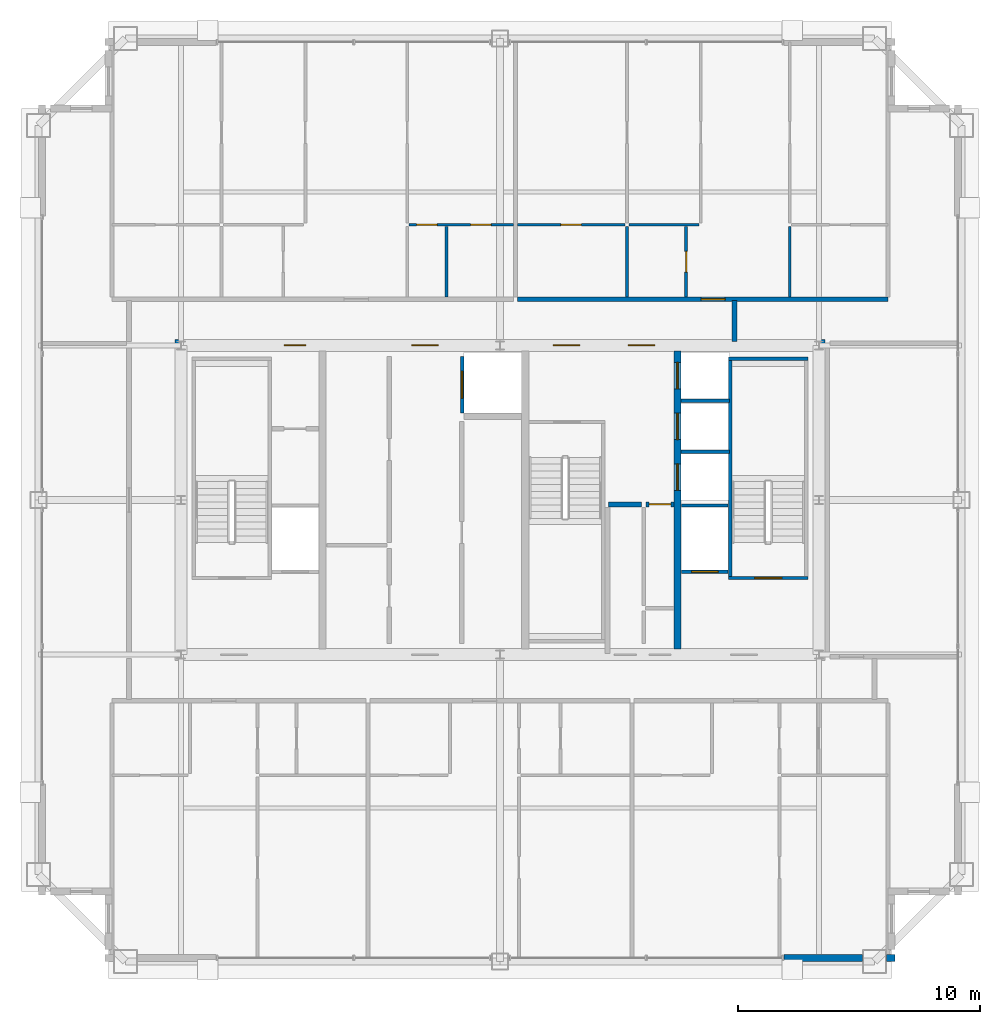
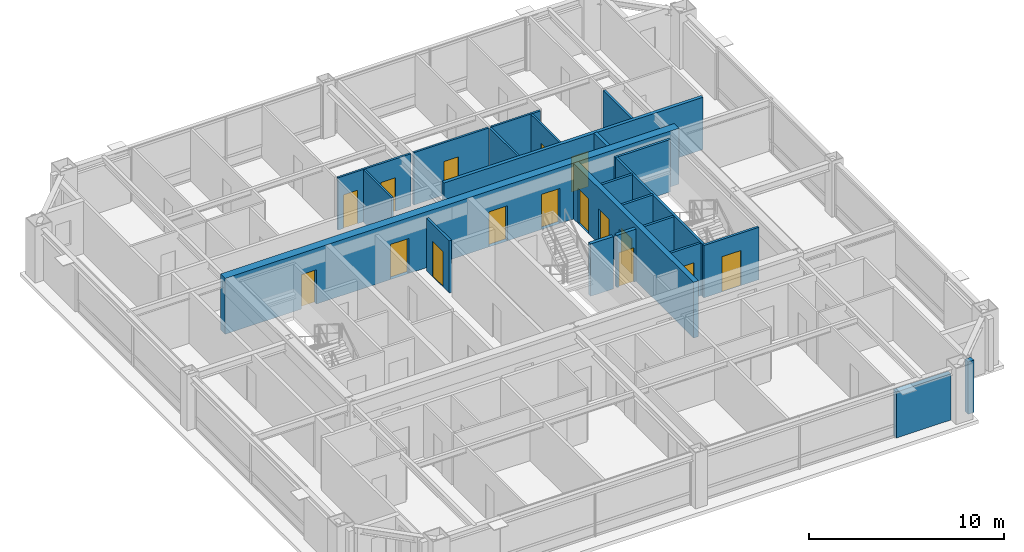
# One storey, part 32 of 35: 23 walls, 16 doors, 16 openings.
"""IFC4 building model written with IfcOpenShell, lengths in metres."""

import ifcopenshell
import ifcopenshell.guid

model = None  # the IFC model being written
_history = None  # IfcOwnerHistory: only IFC2X3 demands one
_inside = {}  # id of a spatial element -> (the spatial element, [elements in it])
_under = {}  # id of a project, library or spatial element -> (it, [spatial elements below it])
_declared = {}  # id of a project -> (the project, [libraries it declares])
_typed = {}  # id of a type object -> (the type object, [elements of that type])
_made_of = {}  # id of a material, layer set ... -> (it, [elements and type objects made of it])


def new_model(schema):
    """Start an empty IFC model of exactly this schema.

    Asked for "IFC4X3", IfcOpenShell would pick the latest addendum, in which some entities
    have other attributes; the version numbers below select the first issue.
    IFC2X3 requires an IfcOwnerHistory on every rooted entity: one is made here for all.
    """
    global model, _history
    if schema == "IFC4X3":
        model = ifcopenshell.file(schema_version=(4, 3, 0, 0))
    else:
        model = ifcopenshell.file(schema=schema)
    _inside.clear()
    _under.clear()
    _declared.clear()
    _typed.clear()
    _made_of.clear()
    _history = None
    if model.schema == "IFC2X3":
        org = make("IfcOrganization", Name="unknown")
        user = make(
            "IfcPersonAndOrganization",
            ThePerson=make("IfcPerson", FamilyName="unknown"),
            TheOrganization=org,
        )
        app = make(
            "IfcApplication",
            ApplicationDeveloper=org,
            Version="unknown",
            ApplicationFullName="unknown",
            ApplicationIdentifier="unknown",
        )
        _history = make(
            "IfcOwnerHistory",
            OwningUser=user,
            OwningApplication=app,
            ChangeAction="ADDED",
            CreationDate=0,
        )
    return model


def make(cls, **values):
    """One entity of the class cls with the attributes given. An attribute that is None is left unset."""
    return model.create_entity(
        cls, **{name: value for name, value in values.items() if value is not None}
    )


def rooted(cls, **values):
    """An entity with a GlobalId (a new one), such as an element, a storey or a relation."""
    return make(cls, GlobalId=ifcopenshell.guid.new(), OwnerHistory=_history, **values)


def si_unit(unit_type, name, prefix=None):
    """IfcSIUnit, for example si_unit("LENGTHUNIT", "METRE", prefix="MILLI")."""
    return make("IfcSIUnit", UnitType=unit_type, Prefix=prefix, Name=name)


def assignment(units):
    """IfcUnitAssignment: the units of a project."""
    return None if units is None else make("IfcUnitAssignment", Units=units)


def point(xyz):
    """IfcCartesianPoint."""
    return None if xyz is None else make("IfcCartesianPoint", Coordinates=xyz)


def direction(xyz):
    """IfcDirection."""
    return None if xyz is None else make("IfcDirection", DirectionRatios=xyz)


def frame(location, z_axis=None, x_axis=None):
    """IfcAxis2Placement3D, a coordinate frame: its origin and axes. An axis left out is left unset."""
    return make(
        "IfcAxis2Placement3D",
        Location=point(location),
        Axis=direction(z_axis),
        RefDirection=direction(x_axis),
    )


def frame_2d(location, x_axis=None):
    """IfcAxis2Placement2D, a coordinate frame in the plane: its origin and x axis."""
    return make(
        "IfcAxis2Placement2D", Location=point(location), RefDirection=direction(x_axis)
    )


def origin():
    """The frame at (0, 0, 0) with its axes left unset."""
    return frame((0.0, 0.0, 0.0))


def place(relative_to, where):
    """IfcLocalPlacement: puts the frame where relative to a parent placement (None: the world)."""
    return make(
        "IfcLocalPlacement", PlacementRelTo=relative_to, RelativePlacement=where
    )


def context(
    kind, dimensions, precision=None, world=None, true_north=None, identifier=None
):
    """IfcGeometricRepresentationContext, for example the 3D "Model" context."""
    return make(
        "IfcGeometricRepresentationContext",
        ContextIdentifier=identifier,
        ContextType=kind,
        CoordinateSpaceDimension=dimensions,
        Precision=precision,
        WorldCoordinateSystem=world,
        TrueNorth=true_north,
    )


def subcontext(parent, identifier, kind, view, scale=None):
    """IfcGeometricRepresentationSubContext, for example "Body" below "Model"."""
    return make(
        "IfcGeometricRepresentationSubContext",
        ContextIdentifier=identifier,
        ContextType=kind,
        ParentContext=parent,
        TargetScale=scale,
        TargetView=view,
    )


def project(units=None, contexts=None):
    """IfcProject with its units and contexts."""
    return rooted(
        "IfcProject",
        Name="project",
        RepresentationContexts=contexts,
        UnitsInContext=assignment(units),
    )


def spatial(cls, under=None, at=None, **own):
    """A site, building, storey or space (cls), placed at a placement, below another one or the project."""
    s = rooted(cls, ObjectPlacement=at, **own)
    if under is not None:
        _under.setdefault(under.id(), (under, []))[1].append(s)
    return s


def profile(cls, at=None, kind="AREA", **sizes):
    """A parametric profile (cls). Its sizes go by their IFC names, for example OverallWidth=200.0."""
    return make(cls, ProfileType=kind, Position=at, **sizes)


def rectangle(**sizes):
    """IfcRectangleProfileDef."""
    return profile("IfcRectangleProfileDef", **sizes)


def extrude(swept, where, along, depth):
    """IfcExtrudedAreaSolid: the profile swept, set in the frame where, extruded along a direction by depth."""
    return make(
        "IfcExtrudedAreaSolid",
        SweptArea=swept,
        Position=where,
        ExtrudedDirection=direction(along),
        Depth=depth,
    )


def shape(context_of_items, identifier, shape_type, items):
    """IfcShapeRepresentation: the items that make up one representation, for example the "Body"."""
    return make(
        "IfcShapeRepresentation",
        ContextOfItems=context_of_items,
        RepresentationIdentifier=identifier,
        RepresentationType=shape_type,
        Items=items,
    )


def source(mapping_origin, context_of_items, identifier, shape_type, items):
    """IfcRepresentationMap: a shape defined once, which mapped items show again and again."""
    return make(
        "IfcRepresentationMap",
        MappingOrigin=mapping_origin,
        MappedRepresentation=shape(context_of_items, identifier, shape_type, items),
    )


def transform(
    local_origin,
    x_axis=None,
    y_axis=None,
    z_axis=None,
    scale=None,
    scale2=None,
    scale3=None,
    uniform=True,
):
    """IfcCartesianTransformationOperator3D, or its non-uniform kind. x_axis, y_axis, z_axis: its Axis1, 2, 3."""
    if uniform:
        return make(
            "IfcCartesianTransformationOperator3D",
            Axis1=direction(x_axis),
            Axis2=direction(y_axis),
            LocalOrigin=point(local_origin),
            Scale=scale,
            Axis3=direction(z_axis),
        )
    return make(
        "IfcCartesianTransformationOperator3DnonUniform",
        Axis1=direction(x_axis),
        Axis2=direction(y_axis),
        LocalOrigin=point(local_origin),
        Scale=scale,
        Axis3=direction(z_axis),
        Scale2=scale2,
        Scale3=scale3,
    )


def mapped(mapping_source, mapping_target):
    """IfcMappedItem: shows the shape of a source again, moved by a transform."""
    return make(
        "IfcMappedItem", MappingSource=mapping_source, MappingTarget=mapping_target
    )


def material(Name=None, Category=None):
    """IfcMaterial."""
    return make("IfcMaterial", Name=Name, Category=Category)


def layer(
    of_material, thickness, ventilated=None, Name=None, Category=None, Priority=None
):
    """IfcMaterialLayer: one layer of a wall or slab, of a material (None: an air gap)."""
    return make(
        "IfcMaterialLayer",
        Material=of_material,
        LayerThickness=thickness,
        IsVentilated=ventilated,
        Name=Name,
        Category=Category,
        Priority=Priority,
    )


def layer_set(layers, Name=None):
    """IfcMaterialLayerSet."""
    return make("IfcMaterialLayerSet", MaterialLayers=layers, LayerSetName=Name)


def made_of(thing, what):
    """Note that an element or type object is made of a material, layer set ...; save() writes the relation."""
    if what is not None:
        _made_of.setdefault(what.id(), (what, []))[1].append(thing)
    return thing


def type_object(cls, material=None, **own):
    """A type object (cls), such as IfcWallType, which elements share."""
    return made_of(rooted(cls, **own), material)


def element(
    cls,
    number,
    at=None,
    inside=None,
    cuts=None,
    type_object=None,
    material=None,
    context=None,
    identifier="Body",
    shape_type=None,
    held_by="IfcProductDefinitionShape",
    body=None,
    shapes=None,
    **own,
):
    """One element of the class cls, such as IfcWall. Its Tag is "e" and its number.

    at: its placement. inside: the storey or other place that contains it. cuts: it is an
    opening in that element (IfcRelVoidsElement). A single representation is given by context,
    identifier, shape_type and body (its items); several are given by shapes. held_by: the class
    of the entity that holds the representations. save() writes the other relations.
    """
    e = rooted(cls, Tag="e%d" % number, ObjectPlacement=at, **own)
    if body is not None:
        shapes = [shape(context, identifier, shape_type, body)]
    if shapes is not None:
        e.Representation = make(held_by, Representations=shapes)
    if inside is not None:
        _inside.setdefault(inside.id(), (inside, []))[1].append(e)
    if cuts is not None:
        rooted(
            "IfcRelVoidsElement", RelatingBuildingElement=cuts, RelatedOpeningElement=e
        )
    if type_object is not None:
        _typed.setdefault(type_object.id(), (type_object, []))[1].append(e)
    return made_of(e, material)


def fill(opening, filler):
    """IfcRelFillsElement: the door or window that sits in an opening."""
    return rooted(
        "IfcRelFillsElement",
        RelatingOpeningElement=opening,
        RelatedBuildingElement=filler,
    )


def aggregate(whole, parts):
    """IfcRelAggregates: a whole, such as a stair, and the parts it consists of."""
    return rooted("IfcRelAggregates", RelatingObject=whole, RelatedObjects=parts)


def save(model, path):
    """Write the relations noted so far, then the file.

    IfcRelAggregates (storeys below a building ...), IfcRelContainedInSpatialStructure (elements
    in a storey), IfcRelDefinesByType, IfcRelAssociatesMaterial and IfcRelDeclares: one each for
    every whole, place, type object, material and project.
    """
    for whole, parts in _under.values():
        aggregate(whole, parts)
    for where, things in _inside.values():
        rooted(
            "IfcRelContainedInSpatialStructure",
            RelatedElements=things,
            RelatingStructure=where,
        )
    for kind, things in _typed.values():
        rooted("IfcRelDefinesByType", RelatedObjects=things, RelatingType=kind)
    for what, things in _made_of.values():
        rooted("IfcRelAssociatesMaterial", RelatedObjects=things, RelatingMaterial=what)
    for by, libraries in _declared.values():
        rooted("IfcRelDeclares", RelatingContext=by, RelatedDefinitions=libraries)
    model.write(path)


model = new_model("IFC4")

# Units and contexts
model_context = context("Model", 3, precision=1e-05, world=origin(), true_north=direction((0.0, 1.0)))
body_context = subcontext(model_context, "Body", "Model", "MODEL_VIEW")
ifc_project = project(units=[si_unit("LENGTHUNIT", "METRE"), si_unit("AREAUNIT", "SQUARE_METRE"), si_unit("VOLUMEUNIT", "CUBIC_METRE"), si_unit("PLANEANGLEUNIT", "RADIAN"), si_unit("MASSUNIT", "GRAM", prefix="KILO"), si_unit("THERMODYNAMICTEMPERATUREUNIT", "KELVIN"), si_unit("POWERUNIT", "WATT")], contexts=[model_context])

# Site, building, storey
site_placement = place(None, origin())
site = spatial("IfcSite", under=ifc_project, at=site_placement, CompositionType="ELEMENT")
building_placement = place(site_placement, origin())
building = spatial("IfcBuilding", under=site, at=building_placement, Name="Yuzanri Waterfront Tower", CompositionType="ELEMENT")
storey_placement = place(building_placement, frame((0.0, 0.0, 289.10009765625)))
storey = spatial("IfcBuildingStorey", under=building, at=storey_placement, Name="L77", CompositionType="ELEMENT", Elevation=289.10009765625)

# Wall, openings, doors
ifc_material_1 = material(Name="Moisture-Resistant Gypsum Stud Wall", Category="gypsum")
ifc_layer_1 = layer(ifc_material_1, 0.1201171875)
ifc_layer_set_1 = layer_set([ifc_layer_1], Name="Moisture-Resistant Gypsum Stud Wall")
wall_type_1 = type_object("IfcWallType", Name="Bathroom and Kitchen Wet Partition 120", PredefinedType="PARTITIONING", material=ifc_layer_set_1)
wall_1_placement = place(storey_placement, frame((33.239990234375, 37.18994140625, 0.0), z_axis=(0.0, 0.0, 1.0), x_axis=(1.0, 0.0, 0.0)))
wall_1 = element("IfcWall", 1, at=wall_1_placement, inside=storey, type_object=wall_type_1, Name="L77 Partition UW-L77-HN1-SUB-6-S", PredefinedType="PARTITIONING", context=body_context, shape_type="SweptSolid", body=[
    extrude(rectangle(XDim=4.322021484375, YDim=0.1201171875, at=frame_2d((2.1611328125, 0.0))), origin(), (0.0, 0.0, 1.0), 3.27978515625),
])
opening_1_placement = place(wall_1_placement, frame((2.547119140625, 0.0, 0.0)))
opening_1 = element("IfcOpeningElement", 2, at=opening_1_placement, cuts=wall_1, Name="Opening ID-0850", PredefinedType="OPENING", context=body_context, shape_type="SweptSolid", body=[
    extrude(rectangle(XDim=0.85009765625, YDim=2.10009765625, at=frame_2d((0.425048828125, 1.050048828125))), frame((0.0, 0.074951171875, 0.0), z_axis=(0.0, -1.0, 0.0), x_axis=(1.0, 0.0, 0.0)), (0.0, 0.0, 1.0), 0.14990234375),
])
opening_2_placement = place(wall_1_placement, frame((0.305908203125, 0.0, 0.0)))
opening_2 = element("IfcOpeningElement", 3, at=opening_2_placement, cuts=wall_1, Name="Opening ID-0850", PredefinedType="OPENING", context=body_context, shape_type="SweptSolid", body=[
    extrude(rectangle(XDim=0.85009765625, YDim=2.10009765625, at=frame_2d((0.425048828125, 1.050048828125))), frame((0.0, 0.074951171875, 0.0), z_axis=(0.0, -1.0, 0.0), x_axis=(1.0, 0.0, 0.0)), (0.0, 0.0, 1.0), 0.14990234375),
])
ifc_material_2 = material(Name="Moisture-Resistant Lacquered Timber", Category="wood")
door_type_1 = type_object("IfcDoorType", Name="En-Suite Bathroom and Kitchen Swing Door 850x2100", OperationType="NOTDEFINED", PredefinedType="DOOR", material=ifc_material_2)
shared_shape_1 = source(origin(), body_context, "Body", "SweptSolid", [
    extrude(rectangle(XDim=0.85009765625, YDim=2.10009765625, at=frame_2d((0.425048828125, 1.050048828125))), frame((0.0, 0.02490234375, 0.0), z_axis=(0.0, -1.0, 0.0), x_axis=(1.0, 0.0, 0.0)), (0.0, 0.0, 1.0), 0.050048828125),
])
door_1_placement = place(opening_1_placement, origin())
door_1 = element("IfcDoor", 4, at=door_1_placement, inside=storey, type_object=door_type_1, Name="L77 Suite Interior Room Door", OperationType="SINGLE_SWING_LEFT", OverallHeight=2.10009765625, OverallWidth=0.85009765625, PredefinedType="DOOR", context=body_context, shape_type="MappedRepresentation", body=[
    mapped(shared_shape_1, transform((0.0, 0.0, 0.0), scale=1.0)),
])
fill(opening_1, door_1)
door_2_placement = place(opening_2_placement, origin())
door_2 = element("IfcDoor", 5, at=door_2_placement, inside=storey, type_object=door_type_1, Name="L77 Suite Interior Room Door", OperationType="SINGLE_SWING_RIGHT", OverallHeight=2.10009765625, OverallWidth=0.85009765625, PredefinedType="DOOR", context=body_context, shape_type="MappedRepresentation", body=[
    mapped(shared_shape_1, transform((0.0, 0.0, 0.0), scale=1.0)),
])
fill(opening_2, door_2)

# Wall, opening, door
wall_2_placement = place(storey_placement, frame((37.721923828125, 37.18994140625, 0.0), z_axis=(0.0, 0.0, 1.0), x_axis=(1.0, 0.0, 0.0)))
wall_2 = element("IfcWall", 6, at=wall_2_placement, inside=storey, type_object=wall_type_1, Name="L77 Partition UW-L77-HN2-SUB-1-N", PredefinedType="PARTITIONING", context=body_context, shape_type="SweptSolid", body=[
    extrude(rectangle(XDim=4.4501953125, YDim=0.1201171875, at=frame_2d((2.22509765625, 0.0))), origin(), (0.0, 0.0, 1.0), 3.27978515625),
])
opening_3_placement = place(wall_2_placement, frame((1.800048828125, 0.0, 0.0)))
opening_3 = element("IfcOpeningElement", 7, at=opening_3_placement, cuts=wall_2, Name="Opening ID-0850", PredefinedType="OPENING", context=body_context, shape_type="SweptSolid", body=[
    extrude(rectangle(XDim=0.85009765625, YDim=2.10009765625, at=frame_2d((0.425048828125, 1.050048828125))), frame((0.0, 0.074951171875, 0.0), z_axis=(0.0, -1.0, 0.0), x_axis=(1.0, 0.0, 0.0)), (0.0, 0.0, 1.0), 0.14990234375),
])
door_3_placement = place(opening_3_placement, origin())
door_3 = element("IfcDoor", 8, at=door_3_placement, inside=storey, type_object=door_type_1, Name="L77 Suite Interior Room Door", OperationType="SINGLE_SWING_LEFT", OverallHeight=2.10009765625, OverallWidth=0.85009765625, PredefinedType="DOOR", context=body_context, shape_type="MappedRepresentation", body=[
    mapped(shared_shape_1, transform((0.0, 0.0, 0.0), scale=1.0)),
])
fill(opening_3, door_3)

wall_3_placement = place(storey_placement, frame((44.7041015625, 34.2099609375, 0.0), z_axis=(0.0, 0.0, 1.0), x_axis=(0.0, 1.0, 0.0)))
wall_3 = element("IfcWall", 9, at=wall_3_placement, inside=storey, type_object=wall_type_1, Name="L77 Partition UW-L77-HN2-SUB-2-E", PredefinedType="PARTITIONING", context=body_context, shape_type="SweptSolid", body=[
    extrude(rectangle(XDim=2.900146484375, YDim=0.1201171875, at=frame_2d((1.4501953125, 0.0))), origin(), (0.0, 0.0, 1.0), 3.27978515625),
])
opening_4_placement = place(wall_3_placement, frame((1.02490234375, 0.0, 0.0)))
opening_4 = element("IfcOpeningElement", 10, at=opening_4_placement, cuts=wall_3, Name="Opening ID-0850", PredefinedType="OPENING", context=body_context, shape_type="SweptSolid", body=[
    extrude(rectangle(XDim=0.85009765625, YDim=2.10009765625, at=frame_2d((0.425048828125, 1.050048828125))), frame((0.0, 0.074951171875, 0.0), z_axis=(0.0, -1.0, 0.0), x_axis=(1.0, 0.0, 0.0)), (0.0, 0.0, 1.0), 0.14990234375),
])
door_4_placement = place(opening_4_placement, origin())
door_4 = element("IfcDoor", 11, at=door_4_placement, inside=storey, type_object=door_type_1, Name="L77 Suite Interior Room Door", OperationType="SINGLE_SWING_RIGHT", OverallHeight=2.10009765625, OverallWidth=0.85009765625, PredefinedType="DOOR", context=body_context, shape_type="MappedRepresentation", body=[
    mapped(shared_shape_1, transform((0.0, 0.0, 0.0), scale=1.0)),
])
fill(opening_4, door_4)

# Wall, openings, doors
ifc_material_3 = material(Name="Concrete C45", Category="concrete")
ifc_layer_2 = layer(ifc_material_3, 0.47998046875)
ifc_layer_set_2 = layer_set([ifc_layer_2], Name="Concrete C45")
wall_type_2 = type_object("IfcWallType", Name="Concrete C45 High-Rise Core Shear Wall 480", PredefinedType="SHEAR", material=ifc_layer_set_2)
wall_4_placement = place(storey_placement, frame((23.56005859375, 32.199951171875, 0.0), z_axis=(0.0, 0.0, 1.0), x_axis=(1.0, 0.0, 0.0)))
wall_4 = element("IfcWall", 12, at=wall_4_placement, inside=storey, type_object=wall_type_2, Name="L77 Core North Shear Wall", PredefinedType="SHEAR", context=body_context, shape_type="SweptSolid", body=[
    extrude(rectangle(XDim=26.8798828125, YDim=0.47998046875, at=frame_2d((13.43994140625, 0.0))), origin(), (0.0, 0.0, 1.0), 3.5),
])
opening_5_placement = place(wall_4_placement, frame((4.510009765625, 0.0, 0.0)))
opening_5 = element("IfcOpeningElement", 13, at=opening_5_placement, cuts=wall_4, Name="Opening FD-0900", PredefinedType="OPENING", context=body_context, shape_type="SweptSolid", body=[
    extrude(rectangle(XDim=0.89990234375, YDim=2.14990234375, at=frame_2d((0.449951171875, 1.074951171875))), frame((0.0, 0.2548828125, 0.0), z_axis=(0.0, -1.0, 0.0), x_axis=(1.0, 0.0, 0.0)), (0.0, 0.0, 1.0), 0.509765625),
])
opening_6_placement = place(wall_4_placement, frame((9.7900390625, 0.0, 0.0)))
opening_6 = element("IfcOpeningElement", 14, at=opening_6_placement, cuts=wall_4, Name="Opening FD-1100", PredefinedType="OPENING", context=body_context, shape_type="SweptSolid", body=[
    extrude(rectangle(XDim=1.10009765625, YDim=2.199951171875, at=frame_2d((0.550048828125, 1.10009765625))), frame((0.0, 0.2548828125, 0.0), z_axis=(0.0, -1.0, 0.0), x_axis=(1.0, 0.0, 0.0)), (0.0, 0.0, 1.0), 0.509765625),
])
opening_7_placement = place(wall_4_placement, frame((15.639892578125, 0.0, 0.0)))
opening_7 = element("IfcOpeningElement", 15, at=opening_7_placement, cuts=wall_4, Name="Opening FD-1100", PredefinedType="OPENING", context=body_context, shape_type="SweptSolid", body=[
    extrude(rectangle(XDim=1.10009765625, YDim=2.199951171875, at=frame_2d((0.550048828125, 1.10009765625))), frame((0.0, 0.2548828125, 0.0), z_axis=(0.0, -1.0, 0.0), x_axis=(1.0, 0.0, 0.0)), (0.0, 0.0, 1.0), 0.509765625),
])
opening_8_placement = place(wall_4_placement, frame((18.739990234375, 0.0, 0.0)))
opening_8 = element("IfcOpeningElement", 16, at=opening_8_placement, cuts=wall_4, Name="Opening FD-1100", PredefinedType="OPENING", context=body_context, shape_type="SweptSolid", body=[
    extrude(rectangle(XDim=1.10009765625, YDim=2.199951171875, at=frame_2d((0.550048828125, 1.10009765625))), frame((0.0, 0.2548828125, 0.0), z_axis=(0.0, -1.0, 0.0), x_axis=(1.0, 0.0, 0.0)), (0.0, 0.0, 1.0), 0.509765625),
])
ifc_material_4 = material(Name="Painted Galvanized Fire Steel", Category="steel")
door_type_2 = type_object("IfcDoorType", Name="Smoke-Proof Stair and Lobby Fire Door 1100x2200", OperationType="NOTDEFINED", PredefinedType="DOOR", material=ifc_material_4)
shared_shape_2 = source(origin(), body_context, "Body", "SweptSolid", [
    extrude(rectangle(XDim=1.10009765625, YDim=2.199951171875, at=frame_2d((0.550048828125, 1.10009765625))), frame((0.0, 0.02490234375, 0.0), z_axis=(0.0, -1.0, 0.0), x_axis=(1.0, 0.0, 0.0)), (0.0, 0.0, 1.0), 0.050048828125),
])
door_5_placement = place(opening_6_placement, origin())
door_5 = element("IfcDoor", 17, at=door_5_placement, inside=storey, type_object=door_type_2, Name="L77 Central Lift Lobby North Door", OperationType="SINGLE_SWING_LEFT", OverallHeight=2.199951171875, OverallWidth=1.10009765625, PredefinedType="DOOR", context=body_context, shape_type="MappedRepresentation", body=[
    mapped(shared_shape_2, transform((0.0, 0.0, 0.0), scale=1.0)),
])
fill(opening_6, door_5)
door_6_placement = place(opening_7_placement, origin())
door_6 = element("IfcDoor", 18, at=door_6_placement, inside=storey, type_object=door_type_2, Name="L77 North Stair Lobby Door", OperationType="SINGLE_SWING_RIGHT", OverallHeight=2.199951171875, OverallWidth=1.10009765625, PredefinedType="DOOR", context=body_context, shape_type="MappedRepresentation", body=[
    mapped(shared_shape_2, transform((0.0, 0.0, 0.0), scale=1.0)),
])
fill(opening_7, door_6)
door_7_placement = place(opening_8_placement, origin())
door_7 = element("IfcDoor", 19, at=door_7_placement, inside=storey, type_object=door_type_2, Name="L77 High-Rise Lift Lobby North Door", OperationType="SINGLE_SWING_LEFT", OverallHeight=2.199951171875, OverallWidth=1.10009765625, PredefinedType="DOOR", context=body_context, shape_type="MappedRepresentation", body=[
    mapped(shared_shape_2, transform((0.0, 0.0, 0.0), scale=1.0)),
])
fill(opening_8, door_7)
ifc_material_5 = material(Name="Painted Galvanized Fire Steel", Category="steel")
door_type_3 = type_object("IfcDoorType", Name="Riser and Service Room Fire Door 900x2150", OperationType="NOTDEFINED", PredefinedType="DOOR", material=ifc_material_5)
shared_shape_3 = source(origin(), body_context, "Body", "SweptSolid", [
    extrude(rectangle(XDim=0.89990234375, YDim=2.14990234375, at=frame_2d((0.449951171875, 1.074951171875))), frame((0.0, 0.02490234375, 0.0), z_axis=(0.0, -1.0, 0.0), x_axis=(1.0, 0.0, 0.0)), (0.0, 0.0, 1.0), 0.050048828125),
])
door_8_placement = place(opening_5_placement, origin())
door_8 = element("IfcDoor", 20, at=door_8_placement, inside=storey, type_object=door_type_3, Name="L77 Telecom Riser Door", OperationType="SINGLE_SWING_RIGHT", OverallHeight=2.14990234375, OverallWidth=0.89990234375, PredefinedType="DOOR", context=body_context, shape_type="MappedRepresentation", body=[
    mapped(shared_shape_3, transform((0.0, 0.0, 0.0), scale=1.0)),
])
fill(opening_5, door_8)

ifc_material_6 = material(Name="Concrete C50", Category="concrete")
ifc_layer_3 = layer(ifc_material_6, 0.300048828125)
ifc_layer_set_3 = layer_set([ifc_layer_3], Name="Concrete C50")
wall_type_3 = type_object("IfcWallType", Name="Concrete C50 Internal Core Shaft Structural Wall 300", PredefinedType="SOLIDWALL", material=ifc_layer_set_3)
wall_5_placement = place(storey_placement, frame((44.35009765625, 19.639892578125, 0.0), z_axis=(0.0, 0.0, 1.0), x_axis=(0.0, 1.0, 0.0)))
wall_5 = element("IfcWall", 21, at=wall_5_placement, inside=storey, type_object=wall_type_3, Name="L77 Core Internal Structural Web Wall 3", PredefinedType="SOLIDWALL", context=body_context, shape_type="SweptSolid", body=[
    extrude(rectangle(XDim=12.320068359375, YDim=0.300048828125, at=frame_2d((6.16015625, 0.0))), origin(), (0.0, 0.0, 1.0), 3.5),
])
opening_9_placement = place(wall_5_placement, frame((6.56005859375, 0.0, 0.0)))
opening_9 = element("IfcOpeningElement", 22, at=opening_9_placement, cuts=wall_5, Name="Opening LD-PL-09", PredefinedType="OPENING", context=body_context, shape_type="SweptSolid", body=[
    extrude(rectangle(XDim=1.10009765625, YDim=2.199951171875, at=frame_2d((0.550048828125, 1.10009765625))), frame((0.0, 0.1650390625, 0.0), z_axis=(0.0, -1.0, 0.0), x_axis=(1.0, 0.0, 0.0)), (0.0, 0.0, 1.0), 0.329833984375),
])
opening_10_placement = place(wall_5_placement, frame((8.659912109375, 0.0, 0.0)))
opening_10 = element("IfcOpeningElement", 23, at=opening_10_placement, cuts=wall_5, Name="Opening LD-PL-10", PredefinedType="OPENING", context=body_context, shape_type="SweptSolid", body=[
    extrude(rectangle(XDim=1.10009765625, YDim=2.199951171875, at=frame_2d((0.550048828125, 1.10009765625))), frame((0.0, 0.1650390625, 0.0), z_axis=(0.0, -1.0, 0.0), x_axis=(1.0, 0.0, 0.0)), (0.0, 0.0, 1.0), 0.329833984375),
])
opening_11_placement = place(wall_5_placement, frame((10.760009765625, 0.0, 0.0)))
opening_11 = element("IfcOpeningElement", 24, at=opening_11_placement, cuts=wall_5, Name="Opening LD-PL-11", PredefinedType="OPENING", context=body_context, shape_type="SweptSolid", body=[
    extrude(rectangle(XDim=1.10009765625, YDim=2.199951171875, at=frame_2d((0.550048828125, 1.10009765625))), frame((0.0, 0.1650390625, 0.0), z_axis=(0.0, -1.0, 0.0), x_axis=(1.0, 0.0, 0.0)), (0.0, 0.0, 1.0), 0.329833984375),
])
ifc_material_7 = material(Name="Brushed Bronze and Stainless Steel Cab", Category="steel")
door_type_4 = type_object("IfcDoorType", Name="Center-Parting Bronze Lift Landing Sliding Door 1100x2200", OperationType="NOTDEFINED", PredefinedType="DOOR", material=ifc_material_7)
shared_shape_4 = source(origin(), body_context, "Body", "SweptSolid", [
    extrude(rectangle(XDim=1.10009765625, YDim=2.199951171875, at=frame_2d((0.550048828125, 1.10009765625))), frame((0.0, 0.02490234375, 0.0), z_axis=(0.0, -1.0, 0.0), x_axis=(1.0, 0.0, 0.0)), (0.0, 0.0, 1.0), 0.050048828125),
])
door_9_placement = place(opening_9_placement, origin())
door_9 = element("IfcDoor", 25, at=door_9_placement, inside=storey, type_object=door_type_4, Name="L77 PL-09 Lift Landing Sliding Door", OperationType="SLIDING_TO_LEFT", OverallHeight=2.199951171875, OverallWidth=1.10009765625, PredefinedType="DOOR", context=body_context, shape_type="MappedRepresentation", body=[
    mapped(shared_shape_4, transform((0.0, 0.0, 0.0), scale=1.0)),
])
fill(opening_9, door_9)
door_10_placement = place(opening_10_placement, origin())
door_10 = element("IfcDoor", 26, at=door_10_placement, inside=storey, type_object=door_type_4, Name="L77 PL-10 Lift Landing Sliding Door", OperationType="SLIDING_TO_RIGHT", OverallHeight=2.199951171875, OverallWidth=1.10009765625, PredefinedType="DOOR", context=body_context, shape_type="MappedRepresentation", body=[
    mapped(shared_shape_4, transform((0.0, 0.0, 0.0), scale=1.0)),
])
fill(opening_10, door_10)
door_11_placement = place(opening_11_placement, origin())
door_11 = element("IfcDoor", 27, at=door_11_placement, inside=storey, type_object=door_type_4, Name="L77 PL-11 Lift Landing Sliding Door", OperationType="SLIDING_TO_LEFT", OverallHeight=2.199951171875, OverallWidth=1.10009765625, PredefinedType="DOOR", context=body_context, shape_type="MappedRepresentation", body=[
    mapped(shared_shape_4, transform((0.0, 0.0, 0.0), scale=1.0)),
])
fill(opening_11, door_11)

# Wall, opening, door
ifc_material_8 = material(Name="Concrete C40", Category="concrete")
ifc_layer_4 = layer(ifc_material_8, 0.139892578125)
ifc_layer_set_4 = layer_set([ifc_layer_4], Name="Concrete C40")
wall_type_4 = type_object("IfcWallType", Name="Core Stair Liner and Hoistway Shaft Wall 140", PredefinedType="SOLIDWALL", material=ifc_layer_set_4)
wall_6_placement = place(storey_placement, frame((44.52001953125, 22.830078125, 0.0), z_axis=(0.0, 0.0, 1.0), x_axis=(1.0, 0.0, 0.0)))
wall_6 = element("IfcWall", 28, at=wall_6_placement, inside=storey, type_object=wall_type_4, Name="L77 Lift FL-02 Front Shaft Wall", PredefinedType="SOLIDWALL", context=body_context, shape_type="SweptSolid", body=[
    extrude(rectangle(XDim=1.919921875, YDim=0.139892578125, at=frame_2d((0.9599609375, 0.0))), origin(), (0.0, 0.0, 1.0), 3.27978515625),
])
opening_12_placement = place(wall_6_placement, frame((0.409912109375, 0.0, 0.0)))
opening_12 = element("IfcOpeningElement", 29, at=opening_12_placement, cuts=wall_6, Name="Opening LD-FL-02", PredefinedType="OPENING", context=body_context, shape_type="SweptSolid", body=[
    extrude(rectangle(XDim=1.10009765625, YDim=2.199951171875, at=frame_2d((0.550048828125, 1.10009765625))), frame((0.0, 0.0849609375, 0.0), z_axis=(0.0, -1.0, 0.0), x_axis=(1.0, 0.0, 0.0)), (0.0, 0.0, 1.0), 0.169677734375),
])
door_12_placement = place(opening_12_placement, origin())
door_12 = element("IfcDoor", 30, at=door_12_placement, inside=storey, type_object=door_type_4, Name="L77 FL-02 Lift Landing Sliding Door", OperationType="SLIDING_TO_RIGHT", OverallHeight=2.199951171875, OverallWidth=1.10009765625, PredefinedType="DOOR", context=body_context, shape_type="MappedRepresentation", body=[
    mapped(shared_shape_4, transform((0.0, 0.0, 0.0), scale=1.0)),
])
fill(opening_12, door_12)

wall_7_placement = place(storey_placement, frame((35.429931640625, 29.39990234375, 0.0), z_axis=(0.0, 0.0, 1.0), x_axis=(0.0, 1.0, 0.0)))
wall_7 = element("IfcWall", 31, at=wall_7_placement, inside=storey, type_object=wall_type_4, Name="L77 Lift SL-02 Front Shaft Wall", PredefinedType="SOLIDWALL", context=body_context, shape_type="SweptSolid", body=[
    extrude(rectangle(XDim=2.340087890625, YDim=0.139892578125, at=frame_2d((1.169921875, 0.0))), origin(), (0.0, 0.0, 1.0), 3.27978515625),
])
opening_13_placement = place(wall_7_placement, frame((0.6201171875, 0.0, 0.0)))
opening_13 = element("IfcOpeningElement", 32, at=opening_13_placement, cuts=wall_7, Name="Opening LD-SL-02", PredefinedType="OPENING", context=body_context, shape_type="SweptSolid", body=[
    extrude(rectangle(XDim=1.10009765625, YDim=2.199951171875, at=frame_2d((0.550048828125, 1.10009765625))), frame((0.0, 0.0849609375, 0.0), z_axis=(0.0, -1.0, 0.0), x_axis=(1.0, 0.0, 0.0)), (0.0, 0.0, 1.0), 0.169677734375),
])
door_13_placement = place(opening_13_placement, origin())
door_13 = element("IfcDoor", 33, at=door_13_placement, inside=storey, type_object=door_type_4, Name="L77 SL-02 Lift Landing Sliding Door", OperationType="SLIDING_TO_RIGHT", OverallHeight=2.199951171875, OverallWidth=1.10009765625, PredefinedType="DOOR", context=body_context, shape_type="MappedRepresentation", body=[
    mapped(shared_shape_4, transform((0.0, 0.0, 0.0), scale=1.0)),
])
fill(opening_13, door_13)

wall_8_placement = place(storey_placement, frame((46.4599609375, 22.570068359375, 0.0), z_axis=(0.0, 0.0, 1.0), x_axis=(1.0, 0.0, 0.0)))
wall_8 = element("IfcWall", 34, at=wall_8_placement, inside=storey, type_object=wall_type_4, Name="L77 Shaft Wall STW-L77-ST-02-S", PredefinedType="SOLIDWALL", context=body_context, shape_type="SweptSolid", body=[
    extrude(rectangle(XDim=3.280029296875, YDim=0.139892578125, at=frame_2d((1.64013671875, 0.0))), origin(), (0.0, 0.0, 1.0), 3.27978515625),
])
opening_14_placement = place(wall_8_placement, frame((1.090087890625, 0.0, 0.0)))
opening_14 = element("IfcOpeningElement", 35, at=opening_14_placement, cuts=wall_8, Name="Opening FD-1100", PredefinedType="OPENING", context=body_context, shape_type="SweptSolid", body=[
    extrude(rectangle(XDim=1.10009765625, YDim=2.199951171875, at=frame_2d((0.550048828125, 1.10009765625))), frame((0.0, 0.0849609375, 0.0), z_axis=(0.0, -1.0, 0.0), x_axis=(1.0, 0.0, 0.0)), (0.0, 0.0, 1.0), 0.169677734375),
])
door_14_placement = place(opening_14_placement, origin())
door_14 = element("IfcDoor", 36, at=door_14_placement, inside=storey, type_object=door_type_2, Name="L77 Stair ST-02 Fire Door", OperationType="SINGLE_SWING_LEFT", OverallHeight=2.199951171875, OverallWidth=1.10009765625, PredefinedType="DOOR", context=body_context, shape_type="MappedRepresentation", body=[
    mapped(shared_shape_2, transform((0.0, 0.0, 0.0), scale=1.0)),
])
fill(opening_14, door_14)

ifc_material_9 = material(Name="Autoclaved Aerated Concrete Blockwork", Category="masonry")
ifc_layer_5 = layer(ifc_material_9, 0.199951171875)
ifc_layer_set_5 = layer_set([ifc_layer_5], Name="Autoclaved Aerated Concrete Blockwork")
wall_type_5 = type_object("IfcWallType", Name="Corridor and Unit Party Fire Wall 200", PredefinedType="PARTITIONING", material=ifc_layer_set_5)
wall_9_placement = place(storey_placement, frame((43.050048828125, 25.6201171875, 0.0), z_axis=(0.0, 0.0, 1.0), x_axis=(1.0, 0.0, 0.0)))
wall_9 = element("IfcWall", 37, at=wall_9_placement, inside=storey, type_object=wall_type_5, Name="L77 Partition CRW-L77-BOHH-2", PredefinedType="PARTITIONING", context=body_context, shape_type="SweptSolid", body=[
    extrude(rectangle(XDim=1.14990234375, YDim=0.199951171875, at=frame_2d((0.574951171875, 0.0))), origin(), (0.0, 0.0, 1.0), 3.27978515625),
])
opening_15_placement = place(wall_9_placement, frame((0.1201171875, 0.0, 0.0)))
opening_15 = element("IfcOpeningElement", 38, at=opening_15_placement, cuts=wall_9, Name="Opening FD-0900", PredefinedType="OPENING", context=body_context, shape_type="SweptSolid", body=[
    extrude(rectangle(XDim=0.89990234375, YDim=2.14990234375, at=frame_2d((0.449951171875, 1.074951171875))), frame((0.0, 0.11474609375, 0.0), z_axis=(0.0, -1.0, 0.0), x_axis=(1.0, 0.0, 0.0)), (0.0, 0.0, 1.0), 0.229736328125),
])
door_15_placement = place(opening_15_placement, origin())
door_15 = element("IfcDoor", 39, at=door_15_placement, inside=storey, type_object=door_type_3, Name="L77 Linen Store Room", OperationType="SINGLE_SWING_RIGHT", OverallHeight=2.14990234375, OverallWidth=0.89990234375, PredefinedType="DOOR", context=body_context, shape_type="MappedRepresentation", body=[
    mapped(shared_shape_3, transform((0.0, 0.0, 0.0), scale=1.0)),
])
fill(opening_15, door_15)

wall_10_placement = place(storey_placement, frame((37.721923828125, 34.110107421875, 0.0), z_axis=(0.0, 0.0, 1.0), x_axis=(1.0, 0.0, 0.0)))
wall_10 = element("IfcWall", 40, at=wall_10_placement, inside=storey, type_object=wall_type_5, Name="L77 Partition UW-L77-HN2-CS", PredefinedType="PARTITIONING", context=body_context, shape_type="SweptSolid", body=[
    extrude(rectangle(XDim=15.338134765625, YDim=0.199951171875, at=frame_2d((7.6689453125, 0.0))), origin(), (0.0, 0.0, 1.0), 3.27978515625),
])
opening_16_placement = place(wall_10_placement, frame((7.596923828125, 0.0, 0.0)))
opening_16 = element("IfcOpeningElement", 41, at=opening_16_placement, cuts=wall_10, Name="Opening FD-1000", PredefinedType="OPENING", context=body_context, shape_type="SweptSolid", body=[
    extrude(rectangle(XDim=1.0, YDim=2.199951171875, at=frame_2d((0.5, 1.10009765625))), frame((0.0, 0.11474609375, 0.0), z_axis=(0.0, -1.0, 0.0), x_axis=(1.0, 0.0, 0.0)), (0.0, 0.0, 1.0), 0.229736328125),
])
ifc_material_10 = material(Name="Engineered Oak Fire-Rated Timber", Category="wood")
door_type_5 = type_object("IfcDoorType", Name="Guestroom and Apartment Entrance Fire Door 1000x2200", OperationType="NOTDEFINED", PredefinedType="DOOR", material=ifc_material_10)
shared_shape_5 = source(origin(), body_context, "Body", "SweptSolid", [
    extrude(rectangle(XDim=1.0, YDim=2.199951171875, at=frame_2d((0.5, 1.10009765625))), frame((0.0, 0.02490234375, 0.0), z_axis=(0.0, -1.0, 0.0), x_axis=(1.0, 0.0, 0.0)), (0.0, 0.0, 1.0), 0.050048828125),
])
door_16_placement = place(opening_16_placement, origin())
door_16 = element("IfcDoor", 42, at=door_16_placement, inside=storey, type_object=door_type_5, Name="L77 Apartment Living and Dining Salon Entrance Door", OperationType="SINGLE_SWING_RIGHT", OverallHeight=2.199951171875, OverallWidth=1.0, PredefinedType="DOOR", context=body_context, shape_type="MappedRepresentation", body=[
    mapped(shared_shape_5, transform((0.0, 0.0, 0.0), scale=1.0)),
])
fill(opening_16, door_16)

# Walls
ifc_material_11 = material(Name="Honed Chongqing Dark Basalt Stone", Category="masonry")
ifc_layer_6 = layer(ifc_material_11, 0.300048828125)
ifc_layer_set_6 = layer_set([ifc_layer_6], Name="Honed Chongqing Dark Basalt Stone")
wall_type_6 = type_object("IfcWallType", Name="Bronze Rainscreen Insulated Spandrel Portal Wall 300", PredefinedType="SOLIDWALL", material=ifc_layer_set_6)
shared_shape_6 = source(origin(), body_context, "Body", "SweptSolid", [
    extrude(rectangle(XDim=0.35009765625, YDim=0.300048828125, at=frame_2d((0.175048828125, 0.0))), origin(), (0.0, 0.0, 1.0), 3.27978515625),
])
wall_11_placement = place(storey_placement, frame((53.0, 6.85009765625, 0.0), z_axis=(0.0, 0.0, 1.0), x_axis=(1.0, 0.0, 0.0)))
element("IfcWall", 43, at=wall_11_placement, inside=storey, type_object=wall_type_6, Name="L77 Corner Column Shoulder Return CSE", PredefinedType="SOLIDWALL", context=body_context, shape_type="MappedRepresentation", body=[
    mapped(shared_shape_6, transform((0.0, 0.0, 0.0), scale=1.0)),
])
shared_shape_7 = source(origin(), body_context, "Body", "SweptSolid", [
    extrude(rectangle(XDim=3.25, YDim=0.300048828125, at=frame_2d((1.625, 0.0))), origin(), (0.0, 0.0, 1.0), 2.885009765625),
])
wall_12_placement = place(storey_placement, frame((48.75, 6.85009765625, 0.0), z_axis=(0.0, 0.0, 1.0), x_axis=(1.0, 0.0, 0.0)))
element("IfcWall", 44, at=wall_12_placement, inside=storey, type_object=wall_type_6, Name="L77 S Right Braced Masonry Shoulder", PredefinedType="SOLIDWALL", context=body_context, shape_type="MappedRepresentation", body=[
    mapped(shared_shape_7, transform((0.0, 0.0, 0.0), scale=1.0)),
])
shared_shape_8 = source(origin(), body_context, "Body", "SweptSolid", [
    extrude(rectangle(XDim=1.919921875, YDim=0.139892578125, at=frame_2d((0.9599609375, 0.0))), origin(), (0.0, 0.0, 1.0), 3.27978515625),
])
wall_13_placement = place(storey_placement, frame((44.52001953125, 25.570068359375, 0.0), z_axis=(0.0, 0.0, 1.0), x_axis=(1.0, 0.0, 0.0)))
element("IfcWall", 45, at=wall_13_placement, inside=storey, type_object=wall_type_4, Name="L77 Lift FL-02 Back Shaft Wall", PredefinedType="SOLIDWALL", context=body_context, shape_type="MappedRepresentation", body=[
    mapped(shared_shape_8, transform((0.0, 0.0, 0.0), scale=1.0)),
])
shared_shape_9 = source(origin(), body_context, "Body", "SweptSolid", [
    extrude(rectangle(XDim=2.0, YDim=0.139892578125, at=frame_2d((1.0, 0.0))), origin(), (0.0, 0.0, 1.0), 3.27978515625),
])
for number, where, z_axis, x_axis, name in (
    (46, (44.5, 27.800048828125, 0.0), (0.0, 0.0, 1.0), (1.0, 0.0, 0.0), "L77 Lift PL-09 Divider Wall"),
    (47, (44.5, 29.89990234375, 0.0), (0.0, 0.0, 1.0), (1.0, 0.0, 0.0), "L77 Lift PL-10 Divider Wall"),
):
    element("IfcWall", number, at=place(storey_placement, frame(where, z_axis=z_axis, x_axis=x_axis)), inside=storey, type_object=wall_type_4, Name=name, PredefinedType="SOLIDWALL", context=body_context, shape_type="MappedRepresentation", body=[
        mapped(shared_shape_9, transform((0.0, 0.0, 0.0), scale=1.0)),
    ])
shared_shape_10 = source(origin(), body_context, "Body", "SweptSolid", [
    extrude(rectangle(XDim=3.280029296875, YDim=0.139892578125, at=frame_2d((1.64013671875, 0.0))), origin(), (0.0, 0.0, 1.0), 3.27978515625),
])
wall_14_placement = place(storey_placement, frame((46.4599609375, 31.64990234375, 0.0), z_axis=(0.0, 0.0, 1.0), x_axis=(1.0, 0.0, 0.0)))
element("IfcWall", 48, at=wall_14_placement, inside=storey, type_object=wall_type_4, Name="L77 Stair ST-02 North Shaft Wall", PredefinedType="SOLIDWALL", context=body_context, shape_type="MappedRepresentation", body=[
    mapped(shared_shape_10, transform((0.0, 0.0, 0.0), scale=1.0)),
])
shared_shape_11 = source(origin(), body_context, "Body", "SweptSolid", [
    extrude(rectangle(XDim=8.940185546875, YDim=0.139892578125, at=frame_2d((4.47021484375, 0.0))), origin(), (0.0, 0.0, 1.0), 3.27978515625),
])
wall_15_placement = place(storey_placement, frame((46.530029296875, 22.639892578125, 0.0), z_axis=(0.0, 0.0, 1.0), x_axis=(0.0, 1.0, 0.0)))
element("IfcWall", 49, at=wall_15_placement, inside=storey, type_object=wall_type_4, Name="L77 Stair ST-02 West Shaft Wall", PredefinedType="SOLIDWALL", context=body_context, shape_type="MappedRepresentation", body=[
    mapped(shared_shape_11, transform((0.0, 0.0, 0.0), scale=1.0)),
])
shared_shape_12 = source(origin(), body_context, "Body", "SweptSolid", [
    extrude(rectangle(XDim=1.35009765625, YDim=0.199951171875, at=frame_2d((0.675048828125, 0.0))), origin(), (0.0, 0.0, 1.0), 3.27978515625),
])
wall_16_placement = place(storey_placement, frame((41.5, 25.6201171875, 0.0), z_axis=(0.0, 0.0, 1.0), x_axis=(1.0, 0.0, 0.0)))
element("IfcWall", 50, at=wall_16_placement, inside=storey, type_object=wall_type_5, Name="L77 Core BOH Split Wall 1", PredefinedType="PARTITIONING", context=body_context, shape_type="MappedRepresentation", body=[
    mapped(shared_shape_12, transform((0.0, 0.0, 0.0), scale=1.0)),
])
shared_shape_13 = source(origin(), body_context, "Body", "SweptSolid", [
    extrude(rectangle(XDim=1.699951171875, YDim=0.199951171875, at=frame_2d((0.85009765625, 0.0))), origin(), (0.0, 0.0, 1.0), 3.27978515625),
])
wall_17_placement = place(storey_placement, frame((46.699951171875, 32.35009765625, 0.0), z_axis=(0.0, 0.0, 1.0), x_axis=(0.0, 1.0, 0.0)))
element("IfcWall", 51, at=wall_17_placement, inside=storey, type_object=wall_type_5, Name="L77 North Foyer East End Wall", PredefinedType="PARTITIONING", context=body_context, shape_type="MappedRepresentation", body=[
    mapped(shared_shape_13, transform((0.0, 0.0, 0.0), scale=1.0)),
])
shared_shape_14 = source(origin(), body_context, "Body", "SweptSolid", [
    extrude(rectangle(XDim=2.900146484375, YDim=0.1201171875, at=frame_2d((1.4501953125, 0.0))), origin(), (0.0, 0.0, 1.0), 3.27978515625),
])
for number, where, z_axis, x_axis, name in (
    (52, (34.781982421875, 34.2099609375, 0.0), (0.0, 0.0, 1.0), (0.0, 1.0, 0.0), "L77 Partition UW-L77-HN1-SUB-3-W"),
    (53, (42.251953125, 34.2099609375, 0.0), (0.0, 0.0, 1.0), (0.0, 1.0, 0.0), "L77 Partition UW-L77-HN2-SUB-1-E"),
    (54, (48.991943359375, 34.2099609375, 0.0), (0.0, 0.0, 1.0), (0.0, 1.0, 0.0), "L77 Partition UW-L77-HN2-SUB-3-W"),
):
    element("IfcWall", number, at=place(storey_placement, frame(where, z_axis=z_axis, x_axis=x_axis)), inside=storey, type_object=wall_type_1, Name=name, PredefinedType="PARTITIONING", context=body_context, shape_type="MappedRepresentation", body=[
        mapped(shared_shape_14, transform((0.0, 0.0, 0.0), scale=1.0)),
    ])
shared_shape_15 = source(origin(), body_context, "Body", "SweptSolid", [
    extrude(rectangle(XDim=2.89501953125, YDim=0.1201171875, at=frame_2d((1.447509765625, 0.0))), origin(), (0.0, 0.0, 1.0), 3.27978515625),
])
wall_18_placement = place(storey_placement, frame((42.33203125, 37.18994140625, 0.0), z_axis=(0.0, 0.0, 1.0), x_axis=(1.0, 0.0, 0.0)))
element("IfcWall", 55, at=wall_18_placement, inside=storey, type_object=wall_type_1, Name="L77 Partition UW-L77-HN2-SUB-6-S", PredefinedType="PARTITIONING", context=body_context, shape_type="MappedRepresentation", body=[
    mapped(shared_shape_15, transform((0.0, 0.0, 0.0), scale=1.0)),
])

save(model, "model.ifc")
